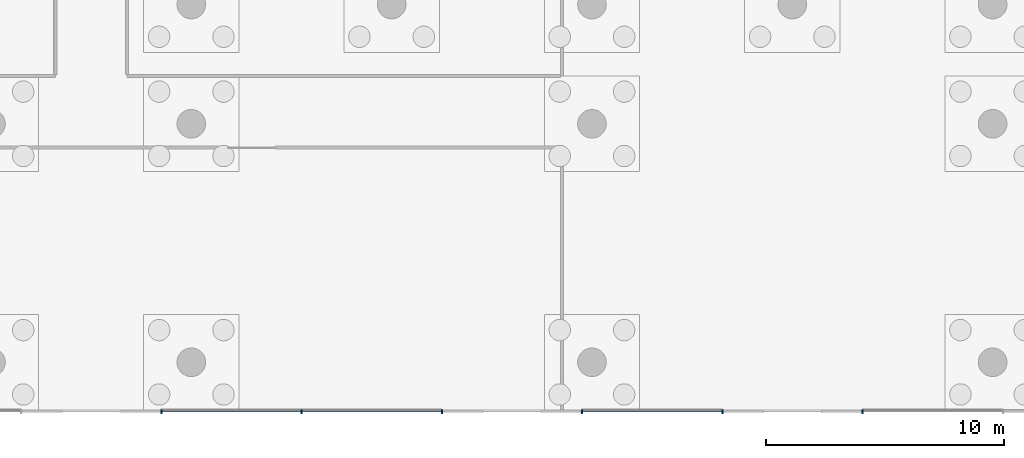
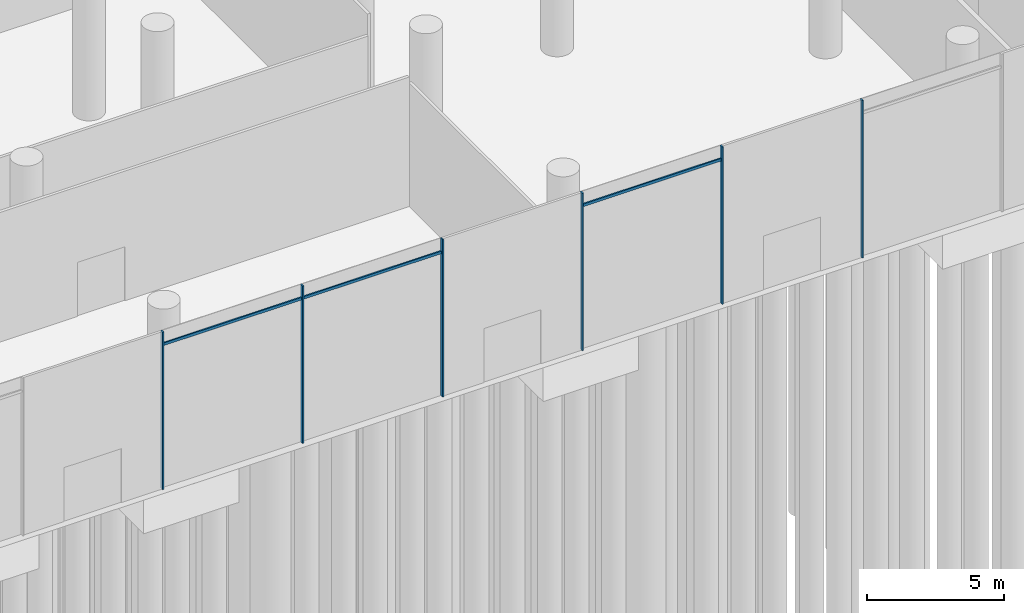
# One storey, part 10 of 41: 9 members, 1 element without a shape of its own.
"""IFC4 building model written with IfcOpenShell, lengths in metres."""

from ifc_helpers import new_model, si_unit, direction, frame, origin, origin_2d, place, context, subcontext, project, spatial, rectangle, extrude, material, material_profile, profile_set, type_object, element, aggregate, save


model = new_model("IFC4")

# Units and contexts
model_context = context("Model", 3, precision=1e-05, world=origin(), true_north=direction((0.0, 1.0)))
body_context = subcontext(model_context, "Body", "Model", "MODEL_VIEW")
ifc_project = project(units=[si_unit("LENGTHUNIT", "METRE"), si_unit("AREAUNIT", "SQUARE_METRE"), si_unit("VOLUMEUNIT", "CUBIC_METRE"), si_unit("PLANEANGLEUNIT", "RADIAN"), si_unit("MASSUNIT", "GRAM", prefix="KILO")], contexts=[model_context])

# Site, building, storey
site_placement = place(None, origin())
site = spatial("IfcSite", under=ifc_project, at=site_placement, CompositionType="ELEMENT")
building_placement = place(site_placement, origin())
building = spatial("IfcBuilding", under=site, at=building_placement, Name="Rimbun Link Towers", CompositionType="ELEMENT")
storey_placement = place(building_placement, origin())
storey = spatial("IfcBuildingStorey", under=building, at=storey_placement, Name="L00", CompositionType="ELEMENT", Elevation=0.0)

# Curtain wall, members
ifc_material_1 = material(Name="Aluminium 6063-T6 and low-iron glass", Category="aluminium")
curtain_wall_type = type_object("IfcCurtainWallType", Name="CW3 podium shopfront", PredefinedType="NOTDEFINED", material=ifc_material_1)
curtain_wall_placement = place(storey_placement, origin())
curtain_wall = element("IfcCurtainWall", 1, at=curtain_wall_placement, inside=storey, type_object=curtain_wall_type, Name="CW3 L00 PD", PredefinedType="NOTDEFINED")
ifc_material_2 = material(Name="Aluminium 6063-T6", Category="aluminium")
ifc_material_profile_1 = material_profile(ifc_material_2, rectangle(XDim=0.14990234375, YDim=0.06005859375, at=origin_2d()), Name="MULLION 60X150")
ifc_profile_set_1 = profile_set([ifc_material_profile_1], Name="Aluminium 6063-T6")
member_type_1 = type_object("IfcMemberType", Name="CW3 mullion 60X150", PredefinedType="MULLION", material=ifc_profile_set_1)
member_1_placement = place(storey_placement, frame((2.941162109375, -48.074951171875, 0.0), z_axis=(0.0, 0.0, 1.0), x_axis=(0.0, -1.0, 0.0)))
member_1 = element("IfcMember", 2, at=member_1_placement, type_object=member_type_1, Name="CW3 mullion", PredefinedType="MULLION", context=body_context, shape_type="SweptSolid", body=[
    extrude(rectangle(XDim=0.14990234375, YDim=0.06005859375, at=origin_2d()), origin(), (0.0, 0.0, 1.0), 7.0),
])
member_2_placement = place(storey_placement, frame((8.823486328125, -48.074951171875, 0.0), z_axis=(0.0, 0.0, 1.0), x_axis=(0.0, -1.0, 0.0)))
member_2 = element("IfcMember", 3, at=member_2_placement, type_object=member_type_1, Name="CW3 mullion", PredefinedType="MULLION", context=body_context, shape_type="SweptSolid", body=[
    extrude(rectangle(XDim=0.14990234375, YDim=0.06005859375, at=origin_2d()), origin(), (0.0, 0.0, 1.0), 7.0),
])
member_3_placement = place(storey_placement, frame((14.705810546875, -48.074951171875, 0.0), z_axis=(0.0, 0.0, 1.0), x_axis=(0.0, -1.0, 0.0)))
member_3 = element("IfcMember", 4, at=member_3_placement, type_object=member_type_1, Name="CW3 mullion", PredefinedType="MULLION", context=body_context, shape_type="SweptSolid", body=[
    extrude(rectangle(XDim=0.14990234375, YDim=0.06005859375, at=origin_2d()), origin(), (0.0, 0.0, 1.0), 7.0),
])
member_4_placement = place(storey_placement, frame((20.588134765625, -48.074951171875, 0.0), z_axis=(0.0, 0.0, 1.0), x_axis=(0.0, -1.0, 0.0)))
member_4 = element("IfcMember", 5, at=member_4_placement, type_object=member_type_1, Name="CW3 mullion", PredefinedType="MULLION", context=body_context, shape_type="SweptSolid", body=[
    extrude(rectangle(XDim=0.14990234375, YDim=0.06005859375, at=origin_2d()), origin(), (0.0, 0.0, 1.0), 7.0),
])
member_5_placement = place(storey_placement, frame((26.470703125, -48.074951171875, 0.0), z_axis=(0.0, 0.0, 1.0), x_axis=(0.0, -1.0, 0.0)))
member_5 = element("IfcMember", 6, at=member_5_placement, type_object=member_type_1, Name="CW3 mullion", PredefinedType="MULLION", context=body_context, shape_type="SweptSolid", body=[
    extrude(rectangle(XDim=0.14990234375, YDim=0.06005859375, at=origin_2d()), origin(), (0.0, 0.0, 1.0), 7.0),
])
member_6_placement = place(storey_placement, frame((32.35302734375, -48.074951171875, 0.0), z_axis=(0.0, 0.0, 1.0), x_axis=(0.0, -1.0, 0.0)))
member_6 = element("IfcMember", 7, at=member_6_placement, type_object=member_type_1, Name="CW3 mullion", PredefinedType="MULLION", context=body_context, shape_type="SweptSolid", body=[
    extrude(rectangle(XDim=0.14990234375, YDim=0.06005859375, at=origin_2d()), origin(), (0.0, 0.0, 1.0), 7.0),
])
ifc_material_3 = material(Name="Aluminium 6063-T6", Category="aluminium")
ifc_material_profile_2 = material_profile(ifc_material_3, rectangle(XDim=0.06005859375, YDim=0.1201171875, at=origin_2d()), Name="TRANSOM 60X120")
ifc_profile_set_2 = profile_set([ifc_material_profile_2], Name="Aluminium 6063-T6")
member_type_2 = type_object("IfcMemberType", Name="CW3 transom 60X120", PredefinedType="USERDEFINED", material=ifc_profile_set_2)
member_7_placement = place(storey_placement, frame((8.79345703125, -48.053955078125, 6.39990234375), z_axis=(-1.0, 0.0, 0.0), x_axis=(0.0, -1.0, 0.0)))
member_7 = element("IfcMember", 8, at=member_7_placement, type_object=member_type_2, Name="CW3 transom", ObjectType="TRANSOM", PredefinedType="USERDEFINED", context=body_context, shape_type="SweptSolid", body=[
    extrude(rectangle(XDim=0.06005859375, YDim=0.1201171875, at=origin_2d()), origin(), (0.0, 0.0, 1.0), 5.822265625),
])
member_8_placement = place(storey_placement, frame((14.67578125, -48.053955078125, 6.39990234375), z_axis=(-1.0, 0.0, 0.0), x_axis=(0.0, -1.0, 0.0)))
member_8 = element("IfcMember", 9, at=member_8_placement, type_object=member_type_2, Name="CW3 transom", ObjectType="TRANSOM", PredefinedType="USERDEFINED", context=body_context, shape_type="SweptSolid", body=[
    extrude(rectangle(XDim=0.06005859375, YDim=0.1201171875, at=origin_2d()), origin(), (0.0, 0.0, 1.0), 5.822265625),
])
member_9_placement = place(storey_placement, frame((26.440673828125, -48.053955078125, 6.39990234375), z_axis=(-1.0, 0.0, 0.0), x_axis=(0.0, -1.0, 0.0)))
member_9 = element("IfcMember", 10, at=member_9_placement, type_object=member_type_2, Name="CW3 transom", ObjectType="TRANSOM", PredefinedType="USERDEFINED", context=body_context, shape_type="SweptSolid", body=[
    extrude(rectangle(XDim=0.06005859375, YDim=0.1201171875, at=origin_2d()), origin(), (0.0, 0.0, 1.0), 5.822509765625),
])
aggregate(curtain_wall, [member_1, member_2, member_3, member_4, member_5, member_6, member_7, member_8, member_9])

save(model, "model.ifc")
